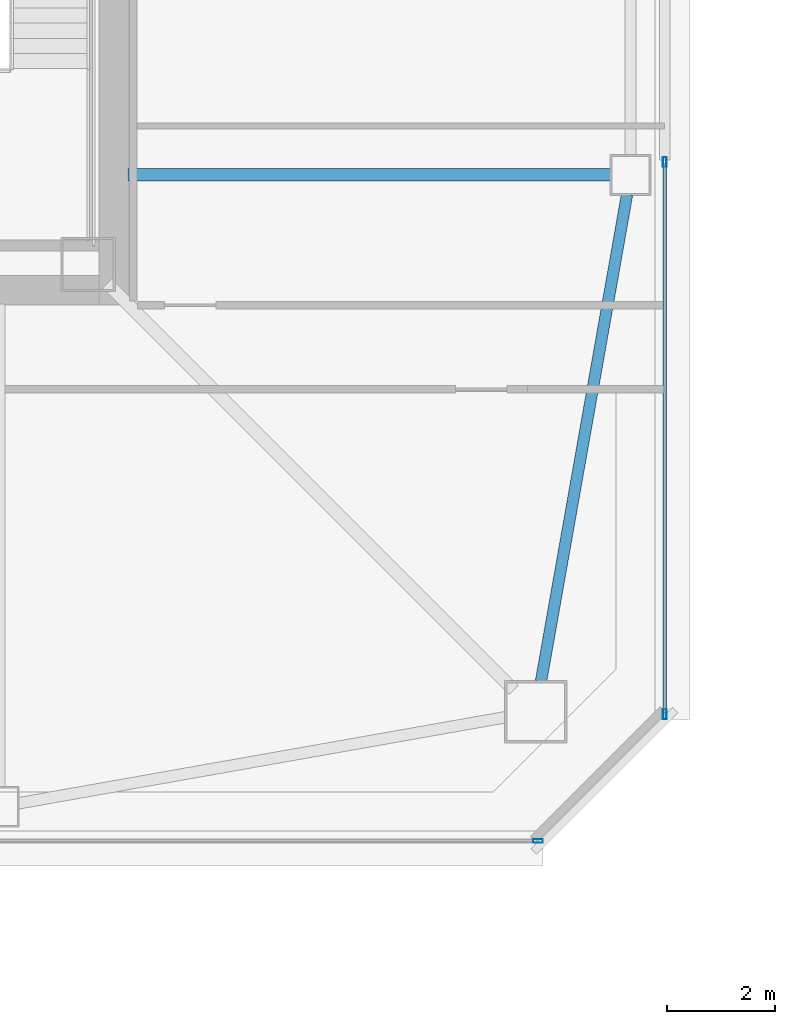
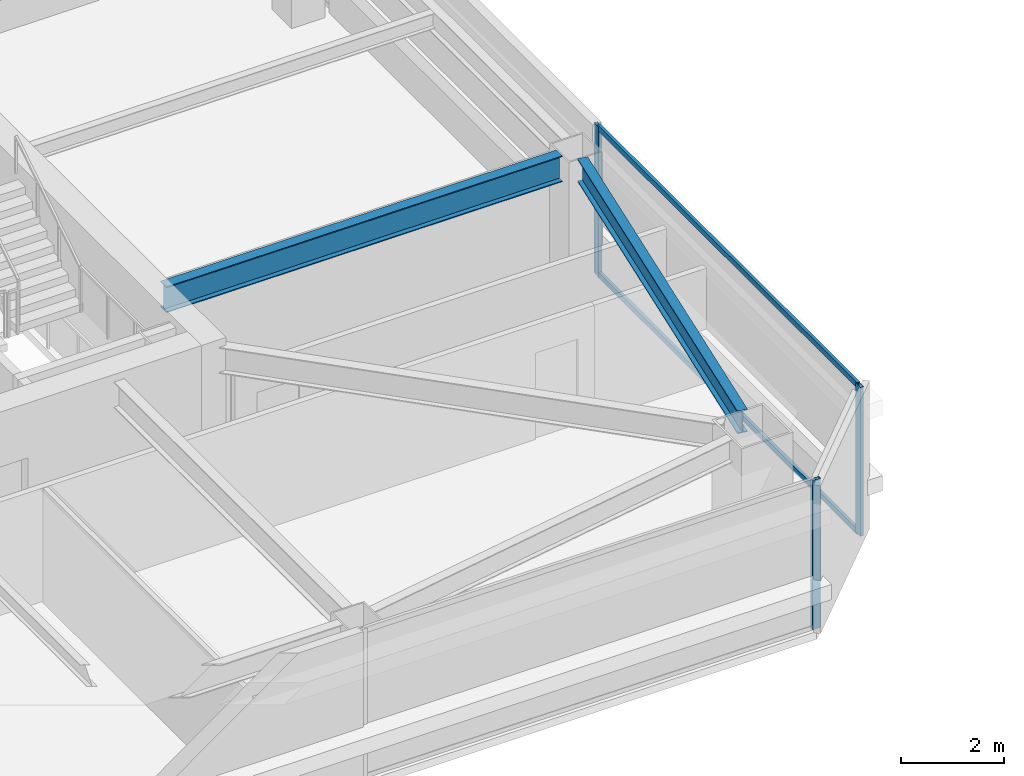
# One storey, part 9 of 41: 5 members, 2 beams, 2 elements without a shape of their own.
"""IFC4 building model written with IfcOpenShell, lengths in metres."""

from ifc_helpers import new_model, si_unit, direction, frame, origin, origin_2d, place, context, subcontext, project, spatial, hollow_rectangle, i_section, extrude, material, material_profile, profile_set, type_object, element, aggregate, save


model = new_model("IFC4")

# Units and contexts
model_context = context("Model", 3, precision=1e-05, world=origin(), true_north=direction((0.0, 1.0)))
body_context = subcontext(model_context, "Body", "Model", "MODEL_VIEW")
ifc_project = project(units=[si_unit("LENGTHUNIT", "METRE"), si_unit("AREAUNIT", "SQUARE_METRE"), si_unit("VOLUMEUNIT", "CUBIC_METRE"), si_unit("PLANEANGLEUNIT", "RADIAN"), si_unit("MASSUNIT", "GRAM", prefix="KILO")], contexts=[model_context])

# Site, building, storey
site_placement = place(None, origin())
site = spatial("IfcSite", under=ifc_project, at=site_placement, CompositionType="ELEMENT")
building_placement = place(site_placement, origin())
building = spatial("IfcBuilding", under=site, at=building_placement, Name="Tashvorn Skyway Center", CompositionType="ELEMENT")
storey_placement = place(building_placement, frame((0.0, 0.0, 192.5)))
storey = spatial("IfcBuildingStorey", under=building, at=storey_placement, Name="L52", CompositionType="ELEMENT", Elevation=192.5)

# Beams
ifc_material_1 = material(Name="Steel ASTM A992 Grade 50", Category="steel")
ifc_material_profile_1 = material_profile(ifc_material_1, i_section(OverallWidth=0.22998046875, OverallDepth=0.616943359375, WebThickness=0.01318359375, FlangeThickness=0.022216796875, at=origin_2d()), Name="W24X94")
ifc_profile_set_1 = profile_set([ifc_material_profile_1], Name="Steel ASTM A992 Grade 50")
beam_type_1 = type_object("IfcBeamType", Name="BM-BEAM-W24X94", PredefinedType="BEAM", material=ifc_profile_set_1)
beam_1_placement = place(storey_placement, frame((58.679931640625, 26.60009765625, 3.0615234375), z_axis=(-1.0, 0.0, 0.0), x_axis=(0.0, -1.0, 0.0)))
element("IfcBeam", 1, at=beam_1_placement, inside=storey, type_object=beam_type_1, Name="Tower 1 L52 Primary Floor Girder FC-E1", PredefinedType="BEAM", context=body_context, shape_type="SweptSolid", body=[
    extrude(i_section(OverallWidth=0.22998046875, OverallDepth=0.616943359375, WebThickness=0.01318359375, FlangeThickness=0.022216796875, at=origin_2d()), origin(), (0.0, 0.0, 1.0), 8.89990234375),
])
ifc_material_profile_2 = material_profile(ifc_material_1, i_section(OverallWidth=0.2109375, OverallDepth=0.5390625, WebThickness=0.01171875, FlangeThickness=0.018798828125, at=origin_2d()), Name="W21X73")
ifc_profile_set_2 = profile_set([ifc_material_profile_2], Name="Steel ASTM A992 Grade 50")
beam_type_2 = type_object("IfcBeamType", Name="BM-SPANDREL-W21X73", PredefinedType="SPANDREL", material=ifc_profile_set_2)
beam_2_placement = place(storey_placement, frame((57.399169921875, 17.26123046875, 3.1005859375), z_axis=(0.174074160933, 0.984732545667, 0.0), x_axis=(-0.984732545667, 0.174074160933, 0.0)))
element("IfcBeam", 2, at=beam_2_placement, inside=storey, type_object=beam_type_2, Name="Tower 1 L52 Spandrel Beam 04", PredefinedType="SPANDREL", context=body_context, shape_type="SweptSolid", body=[
    extrude(i_section(OverallWidth=0.2109375, OverallDepth=0.5390625, WebThickness=0.01171875, FlangeThickness=0.018798828125, at=origin_2d()), origin(), (0.0, 0.0, 1.0), 9.113525390625),
])

# Curtain wall, member
ifc_material_2 = material(Name="Thermally broken bronze-anodized aluminium 6063-T6", Category="aluminium")
curtain_wall_type = type_object("IfcCurtainWallType", Name="CW-CW-Z4", PredefinedType="NOTDEFINED", material=ifc_material_2)
curtain_wall_1_placement = place(storey_placement, origin())
curtain_wall_1 = element("IfcCurtainWall", 3, at=curtain_wall_1_placement, inside=storey, type_object=curtain_wall_type, Name="Tower 1 L52 South Unitised Curtain Wall Glazing Group 1", PredefinedType="NOTDEFINED")
ifc_material_profile_3 = material_profile(ifc_material_2, hollow_rectangle(XDim=0.070068359375, YDim=0.179931640625, WallThickness=0.00390625, at=origin_2d()), Name="ALU-MULL-70x180")
ifc_profile_set_3 = profile_set([ifc_material_profile_3], Name="Thermally broken bronze-anodized aluminium 6063-T6")
member_type_1 = type_object("IfcMemberType", Name="CWM-CW-Z4", PredefinedType="MULLION", material=ifc_profile_set_3)
member_1_placement = place(storey_placement, frame((57.344970703125, 14.320068359375, 0.0), z_axis=(0.0, 0.0, 1.0), x_axis=(0.0, -1.0, 0.0)))
member_1 = element("IfcMember", 4, at=member_1_placement, type_object=member_type_1, Name="CW-Z4 mullion 1", PredefinedType="MULLION", context=body_context, shape_type="SweptSolid", body=[
    extrude(hollow_rectangle(XDim=0.070068359375, YDim=0.179931640625, WallThickness=0.00390625, at=origin_2d()), origin(), (0.0, 0.0, 1.0), 3.550048828125),
])
aggregate(curtain_wall_1, [member_1])

# Curtain wall, members
curtain_wall_2_placement = place(storey_placement, origin())
curtain_wall_2 = element("IfcCurtainWall", 5, at=curtain_wall_2_placement, inside=storey, type_object=curtain_wall_type, Name="Tower 1 L52 East Unitised Curtain Wall Glazing Group 2", PredefinedType="NOTDEFINED")
member_2_placement = place(storey_placement, frame((59.679931640625, 26.83837890625, 0.0), z_axis=(0.0, 0.0, 1.0), x_axis=(1.0, 0.0, 0.0)))
member_2 = element("IfcMember", 6, at=member_2_placement, type_object=member_type_1, Name="CW-Z4 mullion 1", PredefinedType="MULLION", context=body_context, shape_type="SweptSolid", body=[
    extrude(hollow_rectangle(XDim=0.070068359375, YDim=0.179931640625, WallThickness=0.00390625, at=origin_2d()), origin(), (0.0, 0.0, 1.0), 3.550048828125),
])
member_3_placement = place(storey_placement, frame((59.679931640625, 16.655029296875, 0.0), z_axis=(0.0, 0.0, 1.0), x_axis=(1.0, 0.0, 0.0)))
member_3 = element("IfcMember", 7, at=member_3_placement, type_object=member_type_1, Name="CW-Z4 mullion 2", PredefinedType="MULLION", context=body_context, shape_type="SweptSolid", body=[
    extrude(hollow_rectangle(XDim=0.070068359375, YDim=0.179931640625, WallThickness=0.00390625, at=origin_2d()), origin(), (0.0, 0.0, 1.0), 3.550048828125),
])
ifc_material_profile_4 = material_profile(ifc_material_2, hollow_rectangle(XDim=0.070068359375, YDim=0.1298828125, WallThickness=0.00390625, at=origin_2d()), Name="ALU-TRAN-70x130")
ifc_profile_set_4 = profile_set([ifc_material_profile_4], Name="Thermally broken bronze-anodized aluminium 6063-T6")
member_type_2 = type_object("IfcMemberType", Name="CWT-CW-Z4", PredefinedType="USERDEFINED", material=ifc_profile_set_4)
member_4_placement = place(storey_placement, frame((59.679931640625, 26.80322265625, 0.034912109375), z_axis=(0.0, -1.0, 0.0), x_axis=(1.0, 0.0, 0.0)))
member_4 = element("IfcMember", 8, at=member_4_placement, type_object=member_type_2, Name="CW-Z4 transom 1.1", ObjectType="TRANSOM", PredefinedType="USERDEFINED", context=body_context, shape_type="SweptSolid", body=[
    extrude(hollow_rectangle(XDim=0.070068359375, YDim=0.1298828125, WallThickness=0.00390625, at=origin_2d()), origin(), (0.0, 0.0, 1.0), 10.11328125),
])
member_5_placement = place(storey_placement, frame((59.679931640625, 26.80322265625, 3.514892578125), z_axis=(0.0, -1.0, 0.0), x_axis=(1.0, 0.0, 0.0)))
member_5 = element("IfcMember", 9, at=member_5_placement, type_object=member_type_2, Name="CW-Z4 transom 1.2", ObjectType="TRANSOM", PredefinedType="USERDEFINED", context=body_context, shape_type="SweptSolid", body=[
    extrude(hollow_rectangle(XDim=0.070068359375, YDim=0.1298828125, WallThickness=0.00390625, at=origin_2d()), origin(), (0.0, 0.0, 1.0), 10.11328125),
])
aggregate(curtain_wall_2, [member_2, member_3, member_4, member_5])

save(model, "model.ifc")
